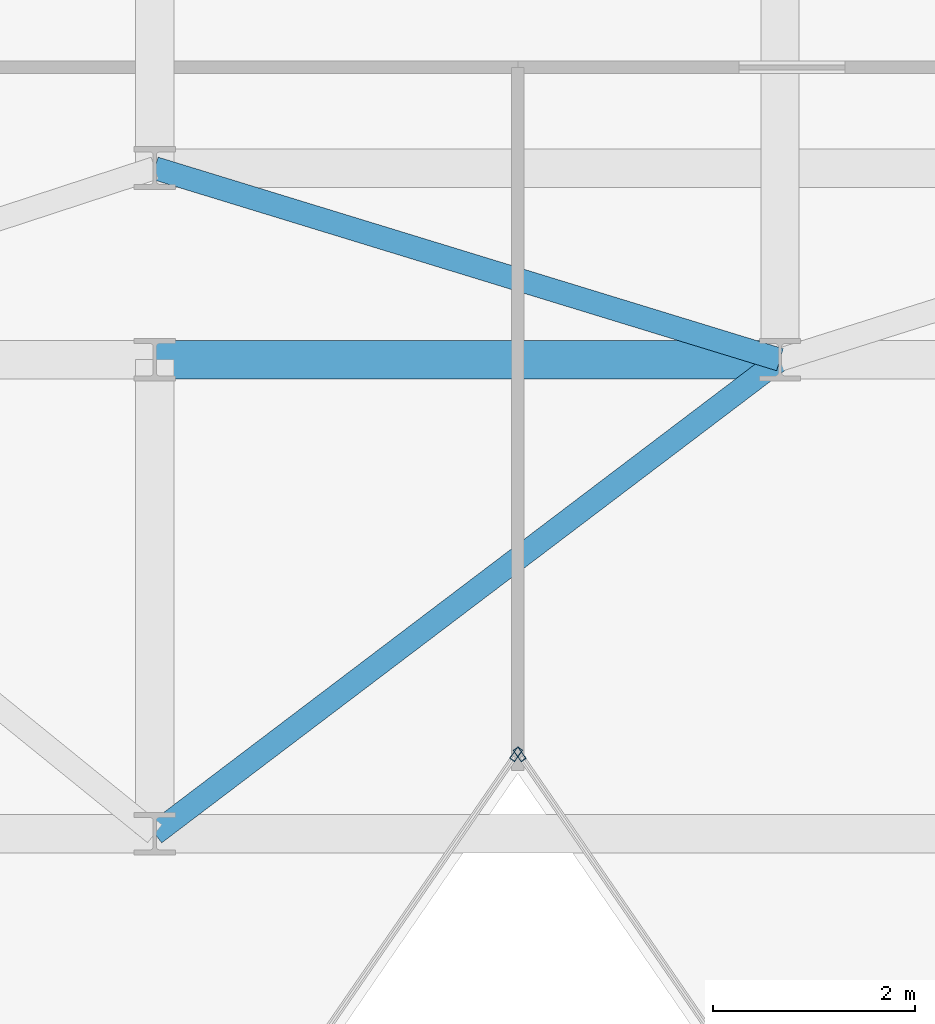
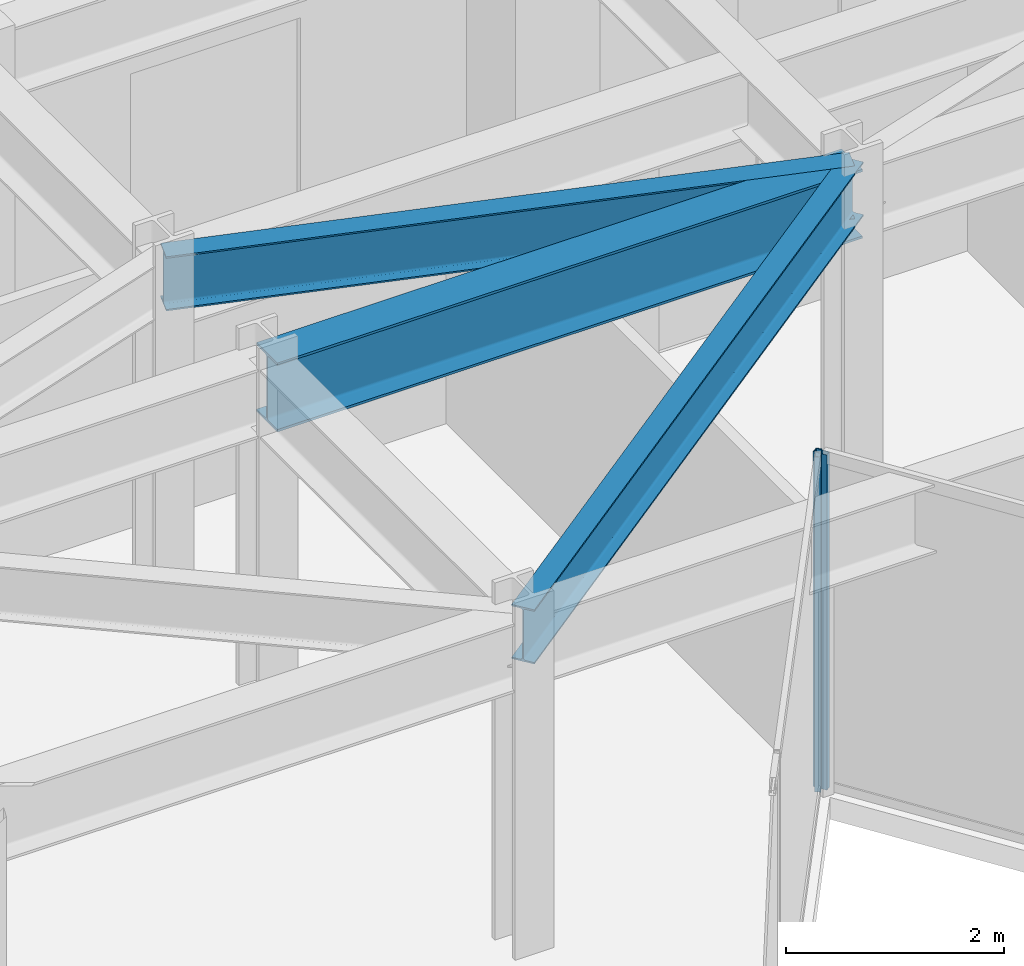
# One storey, part 14 of 26: 3 beams, 2 members, 2 elements without a shape of their own.
"""IFC4 building model written with IfcOpenShell, lengths in metres."""

from ifc_helpers import new_model, si_unit, direction, frame, origin, origin_2d, place, context, subcontext, project, spatial, hollow_rectangle, i_section, extrude, material, layer, layer_set, material_profile, profile_set, type_object, element, aggregate, save


model = new_model("IFC4")

# Units and contexts
model_context = context("Model", 3, precision=1e-05, world=origin(), true_north=direction((0.0, 1.0)))
body_context = subcontext(model_context, "Body", "Model", "MODEL_VIEW")
ifc_project = project(units=[si_unit("LENGTHUNIT", "METRE"), si_unit("AREAUNIT", "SQUARE_METRE"), si_unit("VOLUMEUNIT", "CUBIC_METRE"), si_unit("PLANEANGLEUNIT", "RADIAN"), si_unit("MASSUNIT", "GRAM", prefix="KILO")], contexts=[model_context])

# Site, building, storey
site_placement = place(None, origin())
site = spatial("IfcSite", under=ifc_project, at=site_placement, CompositionType="ELEMENT")
building_placement = place(site_placement, origin())
building = spatial("IfcBuilding", under=site, at=building_placement, Name="Kravanh Interchange Tower", CompositionType="ELEMENT")
storey_placement = place(building_placement, frame((0.0, 0.0, 172.5)))
storey = spatial("IfcBuildingStorey", under=building, at=storey_placement, Name="L41", CompositionType="ELEMENT", Elevation=172.5)

# Curtain wall, member
ifc_material_1 = material(Name="Anodised Bronze Aluminium", Category="aluminium")
ifc_layer = layer(ifc_material_1, 0.179931640625)
ifc_layer_set = layer_set([ifc_layer], Name="Unitised Curtain Wall System CW-Z3 Upper Office")
curtain_wall_type = type_object("IfcCurtainWallType", Name="Unitised Curtain Wall System CW-Z3 Upper Office", PredefinedType="NOTDEFINED", material=ifc_layer_set)
curtain_wall_1_placement = place(storey_placement, origin())
curtain_wall_1 = element("IfcCurtainWall", 1, at=curtain_wall_1_placement, inside=storey, type_object=curtain_wall_type, Name="L41 Unitised Curtain Wall CW-L41-04", PredefinedType="NOTDEFINED")
ifc_material_2 = material(Name="Anodised Bronze Aluminium", Category="aluminium")
ifc_material_profile_1 = material_profile(ifc_material_2, hollow_rectangle(XDim=0.06005859375, YDim=0.139892578125, WallThickness=0.00390625, at=origin_2d()), Name="ALU60X140X4")
ifc_profile_set_1 = profile_set([ifc_material_profile_1], Name="Anodised Bronze Aluminium")
member_type = type_object("IfcMemberType", Name="Curtain Wall Mullion ALU60X140X4 Bronze", PredefinedType="MULLION", material=ifc_profile_set_1)
member_1_placement = place(storey_placement, frame((42.217041015625, 27.587158203125, 0.0), z_axis=(0.0, 0.0, 1.0), x_axis=(-0.824042223035, -0.566528388217, 0.0)))
member_1 = element("IfcMember", 2, at=member_1_placement, type_object=member_type, Name="CW-Z3 mullion 5", PredefinedType="MULLION", context=body_context, shape_type="SweptSolid", body=[
    extrude(hollow_rectangle(XDim=0.06005859375, YDim=0.139892578125, WallThickness=0.00390625, at=origin_2d()), origin(), (0.0, 0.0, 1.0), 3.7548828125),
])
aggregate(curtain_wall_1, [member_1])

curtain_wall_2_placement = place(storey_placement, origin())
curtain_wall_2 = element("IfcCurtainWall", 3, at=curtain_wall_2_placement, inside=storey, type_object=curtain_wall_type, Name="L41 Unitised Curtain Wall CW-L41-05", PredefinedType="NOTDEFINED")
member_2_placement = place(storey_placement, frame((42.18310546875, 27.587158203125, 0.0), z_axis=(0.0, 0.0, 1.0), x_axis=(0.824042223035, -0.566528388217, 0.0)))
member_2 = element("IfcMember", 4, at=member_2_placement, type_object=member_type, Name="CW-Z3 mullion 1", PredefinedType="MULLION", context=body_context, shape_type="SweptSolid", body=[
    extrude(hollow_rectangle(XDim=0.06005859375, YDim=0.139892578125, WallThickness=0.00390625, at=origin_2d()), origin(), (0.0, 0.0, 1.0), 3.7548828125),
])
aggregate(curtain_wall_2, [member_2])

# Beams
ifc_material_3 = material(Name="Structural Steel S355", Category="steel")
ifc_material_profile_2 = material_profile(ifc_material_3, i_section(OverallWidth=0.381103515625, OverallDepth=0.77294921875, WebThickness=0.0166015625, FlangeThickness=0.027099609375, FilletRadius=0.02490234375, at=origin_2d()), Name="W30X173")
ifc_profile_set_2 = profile_set([ifc_material_profile_2], Name="Structural Steel S355")
beam_type_1 = type_object("IfcBeamType", Name="Floor Beam W30X173 Structural Steel S355", PredefinedType="BEAM", material=ifc_profile_set_2)
beam_1_placement = place(storey_placement, frame((38.60009765625, 31.5, 3.368408203125), z_axis=(1.0, 0.0, 0.0), x_axis=(0.0, 1.0, 0.0)))
element("IfcBeam", 5, at=beam_1_placement, inside=storey, type_object=beam_type_1, Name="L41 Primary Floor Girder 72", PredefinedType="BEAM", context=body_context, shape_type="SweptSolid", body=[
    extrude(i_section(OverallWidth=0.381103515625, OverallDepth=0.77294921875, WebThickness=0.0166015625, FlangeThickness=0.027099609375, FilletRadius=0.02490234375, at=origin_2d()), origin(), (0.0, 0.0, 1.0), 6.199951171875),
])
ifc_material_4 = material(Name="Structural Steel S355", Category="steel")
ifc_material_profile_3 = material_profile(ifc_material_4, i_section(OverallWidth=0.22802734375, OverallDepth=0.60791015625, WebThickness=0.01123046875, FlangeThickness=0.017333984375, FilletRadius=0.02197265625, at=origin_2d()), Name="W24X76")
ifc_profile_set_3 = profile_set([ifc_material_profile_3], Name="Structural Steel S355")
beam_type_2 = type_object("IfcBeamType", Name="Floor Spandrel W24X76 Structural Steel S355", PredefinedType="SPANDREL", material=ifc_profile_set_3)
beam_2_placement = place(storey_placement, frame((38.60009765625, 26.800048828125, 3.450927734375), z_axis=(0.796905365509, 0.604104161898, 0.0), x_axis=(-0.604104161898, 0.796905365509, 0.0)))
element("IfcBeam", 6, at=beam_2_placement, inside=storey, type_object=beam_type_2, Name="L41 Perimeter Spandrel 47", PredefinedType="SPANDREL", context=body_context, shape_type="SweptSolid", body=[
    extrude(i_section(OverallWidth=0.22802734375, OverallDepth=0.60791015625, WebThickness=0.01123046875, FlangeThickness=0.017333984375, FilletRadius=0.02197265625, at=origin_2d()), origin(), (0.0, 0.0, 1.0), 7.780029296875),
])
beam_3_placement = place(storey_placement, frame((44.800048828125, 31.5, 3.450927734375), z_axis=(-0.956115397264, 0.292990353279, 0.0), x_axis=(-0.292990353279, -0.956115397264, 0.0)))
element("IfcBeam", 7, at=beam_3_placement, inside=storey, type_object=beam_type_2, Name="L41 Perimeter Spandrel 76", PredefinedType="SPANDREL", context=body_context, shape_type="SweptSolid", body=[
    extrude(i_section(OverallWidth=0.22802734375, OverallDepth=0.60791015625, WebThickness=0.01123046875, FlangeThickness=0.017333984375, FilletRadius=0.02197265625, at=origin_2d()), origin(), (0.0, 0.0, 1.0), 6.484619140625),
])

save(model, "model.ifc")
